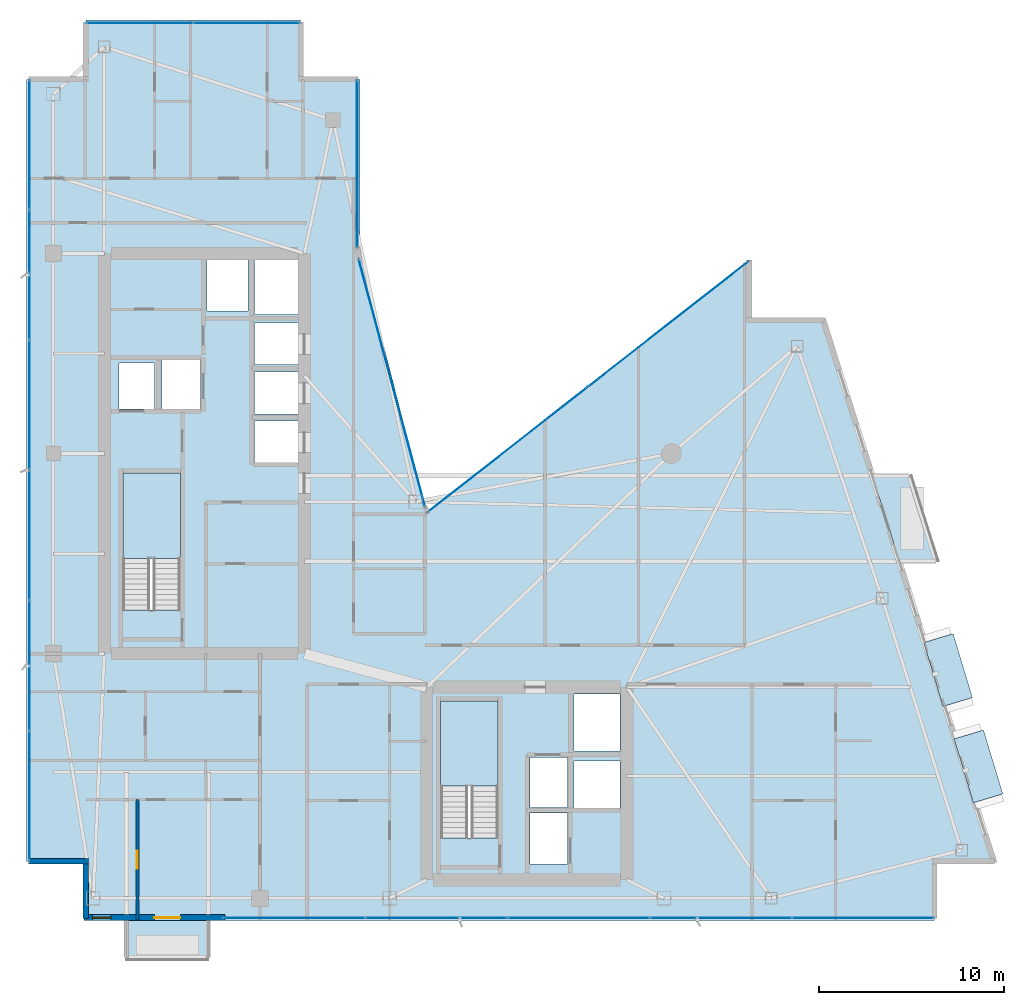
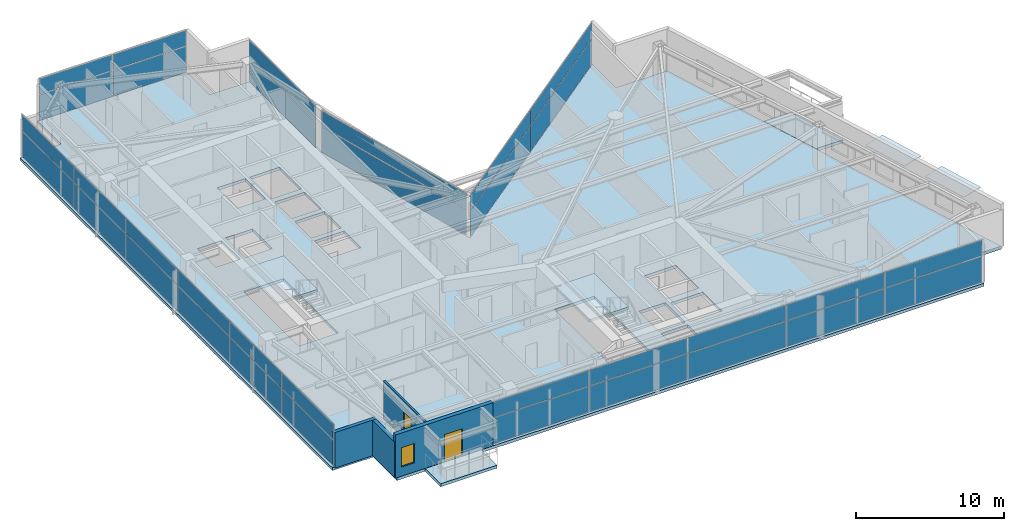
# One storey, part 23 of 30: 36 plates, 5 slabs, 4 walls, 2 doors, 1 window, 3 openings, 8 elements without a shape of their own.
"""IFC4 building model written with IfcOpenShell, lengths in metres."""

from ifc_helpers import new_model, si_unit, direction, frame, frame_2d, origin, origin_2d, place, context, subcontext, project, spatial, polyline, rectangle, outline, extrude, material, layer, layer_set, type_object, element, fill, aggregate, save


model = new_model("IFC4")

# Units and contexts
model_context = context("Model", 3, precision=1e-05, world=origin(), true_north=direction((0.0, 1.0)))
body_context = subcontext(model_context, "Body", "Model", "MODEL_VIEW")
ifc_project = project(units=[si_unit("LENGTHUNIT", "METRE"), si_unit("AREAUNIT", "SQUARE_METRE"), si_unit("VOLUMEUNIT", "CUBIC_METRE"), si_unit("PLANEANGLEUNIT", "RADIAN"), si_unit("MASSUNIT", "GRAM", prefix="KILO")], contexts=[model_context])

# Site, building, storey
site_placement = place(None, origin())
site = spatial("IfcSite", under=ifc_project, at=site_placement, CompositionType="ELEMENT")
building_placement = place(site_placement, origin())
building = spatial("IfcBuilding", under=site, at=building_placement, Name="Calvorn Quay Hotel", CompositionType="ELEMENT")
storey_placement = place(building_placement, frame((0.0, 0.0, 207.199951171875)))
storey = spatial("IfcBuildingStorey", under=building, at=storey_placement, Name="L51", CompositionType="ELEMENT", Elevation=207.199951171875)

# Curtain wall, plates
ifc_material_1 = material(Name="Champagne Bronze Anodised Aluminium and Low-E Glass", Category="aluminium")
ifc_layer_1 = layer(ifc_material_1, 0.219970703125)
ifc_layer_set_1 = layer_set([ifc_layer_1], Name="CW-SYS-Z3")
curtain_wall_type = type_object("IfcCurtainWallType", Name="CW-SYS-Z3", PredefinedType="NOTDEFINED", material=ifc_layer_set_1)
curtain_wall_1_placement = place(storey_placement, origin())
curtain_wall_1 = element("IfcCurtainWall", 1, at=curtain_wall_1_placement, inside=storey, type_object=curtain_wall_type, Name="Tower West Curtain Wall (L51)", PredefinedType="NOTDEFINED")
ifc_material_2 = material(Name="Low-E Laminated Double Glazing", Category="glass")
ifc_layer_2 = layer(ifc_material_2, 0.028076171875)
ifc_layer_set_2 = layer_set([ifc_layer_2], Name="CW-SYS-Z3-PAN")
plate_type_1 = type_object("IfcPlateType", Name="CW-SYS-Z3-PAN", PredefinedType="CURTAIN_PANEL", material=ifc_layer_set_2)
plate_1_placement = place(storey_placement, frame((0.14990234375, 9.131591796875, 0.06005859375), z_axis=(0.0, 0.0, 1.0), x_axis=(0.0, 1.0, 0.0)))
plate_1 = element("IfcPlate", 2, at=plate_1_placement, type_object=plate_type_1, Name="CW-L51-W panel 1.1", PredefinedType="CURTAIN_PANEL", context=body_context, shape_type="SweptSolid", body=[
    extrude(rectangle(XDim=6.943359375, YDim=0.028076171875, at=origin_2d()), origin(), (0.0, 0.0, 1.0), 2.110107421875),
])
plate_2_placement = place(storey_placement, frame((0.14990234375, 9.131591796875, 2.22998046875), z_axis=(0.0, 0.0, 1.0), x_axis=(0.0, 1.0, 0.0)))
plate_2 = element("IfcPlate", 3, at=plate_2_placement, type_object=plate_type_1, Name="CW-L51-W panel 1.2", PredefinedType="CURTAIN_PANEL", context=body_context, shape_type="SweptSolid", body=[
    extrude(rectangle(XDim=6.943359375, YDim=0.028076171875, at=origin_2d()), origin(), (0.0, 0.0, 1.0), 1.27001953125),
])
plate_3_placement = place(storey_placement, frame((0.14990234375, 16.14990234375, 0.06005859375), z_axis=(0.0, 0.0, 1.0), x_axis=(0.0, 1.0, 0.0)))
plate_3 = element("IfcPlate", 4, at=plate_3_placement, type_object=plate_type_1, Name="CW-L51-W panel 2.1", PredefinedType="CURTAIN_PANEL", context=body_context, shape_type="SweptSolid", body=[
    extrude(rectangle(XDim=6.973388671875, YDim=0.028076171875, at=origin_2d()), origin(), (0.0, 0.0, 1.0), 2.110107421875),
])
plate_4_placement = place(storey_placement, frame((0.14990234375, 16.14990234375, 2.22998046875), z_axis=(0.0, 0.0, 1.0), x_axis=(0.0, 1.0, 0.0)))
plate_4 = element("IfcPlate", 5, at=plate_4_placement, type_object=plate_type_1, Name="CW-L51-W panel 2.2", PredefinedType="CURTAIN_PANEL", context=body_context, shape_type="SweptSolid", body=[
    extrude(rectangle(XDim=6.973388671875, YDim=0.028076171875, at=origin_2d()), origin(), (0.0, 0.0, 1.0), 1.27001953125),
])
plate_5_placement = place(storey_placement, frame((0.14990234375, 23.183349609375, 0.06005859375), z_axis=(0.0, 0.0, 1.0), x_axis=(0.0, 1.0, 0.0)))
plate_5 = element("IfcPlate", 6, at=plate_5_placement, type_object=plate_type_1, Name="CW-L51-W panel 3.1", PredefinedType="CURTAIN_PANEL", context=body_context, shape_type="SweptSolid", body=[
    extrude(rectangle(XDim=6.973388671875, YDim=0.028076171875, at=origin_2d()), origin(), (0.0, 0.0, 1.0), 2.110107421875),
])
plate_6_placement = place(storey_placement, frame((0.14990234375, 23.183349609375, 2.22998046875), z_axis=(0.0, 0.0, 1.0), x_axis=(0.0, 1.0, 0.0)))
plate_6 = element("IfcPlate", 7, at=plate_6_placement, type_object=plate_type_1, Name="CW-L51-W panel 3.2", PredefinedType="CURTAIN_PANEL", context=body_context, shape_type="SweptSolid", body=[
    extrude(rectangle(XDim=6.973388671875, YDim=0.028076171875, at=origin_2d()), origin(), (0.0, 0.0, 1.0), 1.27001953125),
])
plate_7_placement = place(storey_placement, frame((0.14990234375, 30.216552734375, 0.06005859375), z_axis=(0.0, 0.0, 1.0), x_axis=(0.0, 1.0, 0.0)))
plate_7 = element("IfcPlate", 8, at=plate_7_placement, type_object=plate_type_1, Name="CW-L51-W panel 4.1", PredefinedType="CURTAIN_PANEL", context=body_context, shape_type="SweptSolid", body=[
    extrude(rectangle(XDim=6.973388671875, YDim=0.028076171875, at=origin_2d()), origin(), (0.0, 0.0, 1.0), 2.110107421875),
])
plate_8_placement = place(storey_placement, frame((0.14990234375, 30.216552734375, 2.22998046875), z_axis=(0.0, 0.0, 1.0), x_axis=(0.0, 1.0, 0.0)))
plate_8 = element("IfcPlate", 9, at=plate_8_placement, type_object=plate_type_1, Name="CW-L51-W panel 4.2", PredefinedType="CURTAIN_PANEL", context=body_context, shape_type="SweptSolid", body=[
    extrude(rectangle(XDim=6.973388671875, YDim=0.028076171875, at=origin_2d()), origin(), (0.0, 0.0, 1.0), 1.27001953125),
])
plate_9_placement = place(storey_placement, frame((0.14990234375, 37.25, 0.06005859375), z_axis=(0.0, 0.0, 1.0), x_axis=(0.0, 1.0, 0.0)))
plate_9 = element("IfcPlate", 10, at=plate_9_placement, type_object=plate_type_1, Name="CW-L51-W panel 5.1", PredefinedType="CURTAIN_PANEL", context=body_context, shape_type="SweptSolid", body=[
    extrude(rectangle(XDim=6.973388671875, YDim=0.028076171875, at=origin_2d()), origin(), (0.0, 0.0, 1.0), 2.110107421875),
])
plate_10_placement = place(storey_placement, frame((0.14990234375, 37.25, 2.22998046875), z_axis=(0.0, 0.0, 1.0), x_axis=(0.0, 1.0, 0.0)))
plate_10 = element("IfcPlate", 11, at=plate_10_placement, type_object=plate_type_1, Name="CW-L51-W panel 5.2", PredefinedType="CURTAIN_PANEL", context=body_context, shape_type="SweptSolid", body=[
    extrude(rectangle(XDim=6.973388671875, YDim=0.028076171875, at=origin_2d()), origin(), (0.0, 0.0, 1.0), 1.27001953125),
])
plate_11_placement = place(storey_placement, frame((0.14990234375, 44.268310546875, 0.06005859375), z_axis=(0.0, 0.0, 1.0), x_axis=(0.0, 1.0, 0.0)))
plate_11 = element("IfcPlate", 12, at=plate_11_placement, type_object=plate_type_1, Name="CW-L51-W panel 6.1", PredefinedType="CURTAIN_PANEL", context=body_context, shape_type="SweptSolid", body=[
    extrude(rectangle(XDim=6.943359375, YDim=0.028076171875, at=origin_2d()), origin(), (0.0, 0.0, 1.0), 2.110107421875),
])
plate_12_placement = place(storey_placement, frame((0.14990234375, 44.268310546875, 2.22998046875), z_axis=(0.0, 0.0, 1.0), x_axis=(0.0, 1.0, 0.0)))
plate_12 = element("IfcPlate", 13, at=plate_12_placement, type_object=plate_type_1, Name="CW-L51-W panel 6.2", PredefinedType="CURTAIN_PANEL", context=body_context, shape_type="SweptSolid", body=[
    extrude(rectangle(XDim=6.943359375, YDim=0.028076171875, at=origin_2d()), origin(), (0.0, 0.0, 1.0), 1.27001953125),
])
aggregate(curtain_wall_1, [plate_1, plate_2, plate_3, plate_4, plate_5, plate_6, plate_7, plate_8, plate_9, plate_10, plate_11, plate_12])

curtain_wall_2_placement = place(storey_placement, origin())
curtain_wall_2 = element("IfcCurtainWall", 14, at=curtain_wall_2_placement, inside=storey, type_object=curtain_wall_type, Name="Tower South Waterfront Curtain Wall (L51)", PredefinedType="NOTDEFINED")
plate_13_placement = place(storey_placement, frame((14.455078125, 2.550048828125, 0.06005859375), z_axis=(0.0, 0.0, 1.0), x_axis=(1.0, 0.0, 0.0)))
plate_13 = element("IfcPlate", 15, at=plate_13_placement, type_object=plate_type_1, Name="CW-L51-S panel 1.1", PredefinedType="CURTAIN_PANEL", context=body_context, shape_type="SweptSolid", body=[
    extrude(rectangle(XDim=7.590087890625, YDim=0.028076171875, at=origin_2d()), origin(), (0.0, 0.0, 1.0), 2.110107421875),
])
plate_14_placement = place(storey_placement, frame((14.455078125, 2.550048828125, 2.22998046875), z_axis=(0.0, 0.0, 1.0), x_axis=(1.0, 0.0, 0.0)))
plate_14 = element("IfcPlate", 16, at=plate_14_placement, type_object=plate_type_1, Name="CW-L51-S panel 1.2", PredefinedType="CURTAIN_PANEL", context=body_context, shape_type="SweptSolid", body=[
    extrude(rectangle(XDim=7.590087890625, YDim=0.028076171875, at=origin_2d()), origin(), (0.0, 0.0, 1.0), 1.27001953125),
])
plate_15_placement = place(storey_placement, frame((22.1201171875, 2.550048828125, 0.06005859375), z_axis=(0.0, 0.0, 1.0), x_axis=(1.0, 0.0, 0.0)))
plate_15 = element("IfcPlate", 17, at=plate_15_placement, type_object=plate_type_1, Name="CW-L51-S panel 2.1", PredefinedType="CURTAIN_PANEL", context=body_context, shape_type="SweptSolid", body=[
    extrude(rectangle(XDim=7.6201171875, YDim=0.028076171875, at=origin_2d()), origin(), (0.0, 0.0, 1.0), 2.110107421875),
])
plate_16_placement = place(storey_placement, frame((22.1201171875, 2.550048828125, 2.22998046875), z_axis=(0.0, 0.0, 1.0), x_axis=(1.0, 0.0, 0.0)))
plate_16 = element("IfcPlate", 18, at=plate_16_placement, type_object=plate_type_1, Name="CW-L51-S panel 2.2", PredefinedType="CURTAIN_PANEL", context=body_context, shape_type="SweptSolid", body=[
    extrude(rectangle(XDim=7.6201171875, YDim=0.028076171875, at=origin_2d()), origin(), (0.0, 0.0, 1.0), 1.27001953125),
])
plate_17_placement = place(storey_placement, frame((29.800048828125, 2.550048828125, 0.06005859375), z_axis=(0.0, 0.0, 1.0), x_axis=(1.0, 0.0, 0.0)))
plate_17 = element("IfcPlate", 19, at=plate_17_placement, type_object=plate_type_1, Name="CW-L51-S panel 3.1", PredefinedType="CURTAIN_PANEL", context=body_context, shape_type="SweptSolid", body=[
    extrude(rectangle(XDim=7.6201171875, YDim=0.028076171875, at=origin_2d()), origin(), (0.0, 0.0, 1.0), 2.110107421875),
])
plate_18_placement = place(storey_placement, frame((29.800048828125, 2.550048828125, 2.22998046875), z_axis=(0.0, 0.0, 1.0), x_axis=(1.0, 0.0, 0.0)))
plate_18 = element("IfcPlate", 20, at=plate_18_placement, type_object=plate_type_1, Name="CW-L51-S panel 3.2", PredefinedType="CURTAIN_PANEL", context=body_context, shape_type="SweptSolid", body=[
    extrude(rectangle(XDim=7.6201171875, YDim=0.028076171875, at=origin_2d()), origin(), (0.0, 0.0, 1.0), 1.27001953125),
])
plate_19_placement = place(storey_placement, frame((37.47998046875, 2.550048828125, 0.06005859375), z_axis=(0.0, 0.0, 1.0), x_axis=(1.0, 0.0, 0.0)))
plate_19 = element("IfcPlate", 21, at=plate_19_placement, type_object=plate_type_1, Name="CW-L51-S panel 4.1", PredefinedType="CURTAIN_PANEL", context=body_context, shape_type="SweptSolid", body=[
    extrude(rectangle(XDim=7.6201171875, YDim=0.028076171875, at=origin_2d()), origin(), (0.0, 0.0, 1.0), 2.110107421875),
])
plate_20_placement = place(storey_placement, frame((37.47998046875, 2.550048828125, 2.22998046875), z_axis=(0.0, 0.0, 1.0), x_axis=(1.0, 0.0, 0.0)))
plate_20 = element("IfcPlate", 22, at=plate_20_placement, type_object=plate_type_1, Name="CW-L51-S panel 4.2", PredefinedType="CURTAIN_PANEL", context=body_context, shape_type="SweptSolid", body=[
    extrude(rectangle(XDim=7.6201171875, YDim=0.028076171875, at=origin_2d()), origin(), (0.0, 0.0, 1.0), 1.27001953125),
])
plate_21_placement = place(storey_placement, frame((45.14501953125, 2.550048828125, 0.06005859375), z_axis=(0.0, 0.0, 1.0), x_axis=(1.0, 0.0, 0.0)))
plate_21 = element("IfcPlate", 23, at=plate_21_placement, type_object=plate_type_1, Name="CW-L51-S panel 5.1", PredefinedType="CURTAIN_PANEL", context=body_context, shape_type="SweptSolid", body=[
    extrude(rectangle(XDim=7.590087890625, YDim=0.028076171875, at=origin_2d()), origin(), (0.0, 0.0, 1.0), 2.110107421875),
])
plate_22_placement = place(storey_placement, frame((45.14501953125, 2.550048828125, 2.22998046875), z_axis=(0.0, 0.0, 1.0), x_axis=(1.0, 0.0, 0.0)))
plate_22 = element("IfcPlate", 24, at=plate_22_placement, type_object=plate_type_1, Name="CW-L51-S panel 5.2", PredefinedType="CURTAIN_PANEL", context=body_context, shape_type="SweptSolid", body=[
    extrude(rectangle(XDim=7.590087890625, YDim=0.028076171875, at=origin_2d()), origin(), (0.0, 0.0, 1.0), 1.27001953125),
])
aggregate(curtain_wall_2, [plate_13, plate_14, plate_15, plate_16, plate_17, plate_18, plate_19, plate_20, plate_21, plate_22])

curtain_wall_3_placement = place(storey_placement, origin())
curtain_wall_3 = element("IfcCurtainWall", 25, at=curtain_wall_3_placement, inside=storey, type_object=curtain_wall_type, Name="Inner Court Curtain Wall L51-NE1", PredefinedType="NOTDEFINED")
plate_23_placement = place(storey_placement, frame((34.63818359375, 34.5908203125, 0.06005859375), z_axis=(0.0, 0.0, 1.0), x_axis=(-0.787887056174, -0.615819768044, 0.0)))
plate_23 = element("IfcPlate", 26, at=plate_23_placement, type_object=plate_type_1, Name="CW-L51-NE1 panel 1.1", PredefinedType="CURTAIN_PANEL", context=body_context, shape_type="SweptSolid", body=[
    extrude(rectangle(XDim=10.9521484375, YDim=0.028076171875, at=origin_2d()), origin(), (0.0, 0.0, 1.0), 2.110107421875),
])
plate_24_placement = place(storey_placement, frame((34.63818359375, 34.5908203125, 2.22998046875), z_axis=(0.0, 0.0, 1.0), x_axis=(-0.787887056174, -0.615819768044, 0.0)))
plate_24 = element("IfcPlate", 27, at=plate_24_placement, type_object=plate_type_1, Name="CW-L51-NE1 panel 1.2", PredefinedType="CURTAIN_PANEL", context=body_context, shape_type="SweptSolid", body=[
    extrude(rectangle(XDim=10.9521484375, YDim=0.028076171875, at=origin_2d()), origin(), (0.0, 0.0, 1.0), 1.27001953125),
])
plate_25_placement = place(storey_placement, frame((25.9619140625, 27.809326171875, 0.06005859375), z_axis=(0.0, 0.0, 1.0), x_axis=(-0.787887056174, -0.615819768044, 0.0)))
plate_25 = element("IfcPlate", 28, at=plate_25_placement, type_object=plate_type_1, Name="CW-L51-NE1 panel 2.1", PredefinedType="CURTAIN_PANEL", context=body_context, shape_type="SweptSolid", body=[
    extrude(rectangle(XDim=10.9521484375, YDim=0.028076171875, at=origin_2d()), origin(), (0.0, 0.0, 1.0), 2.110107421875),
])
plate_26_placement = place(storey_placement, frame((25.9619140625, 27.809326171875, 2.22998046875), z_axis=(0.0, 0.0, 1.0), x_axis=(-0.787887056174, -0.615819768044, 0.0)))
plate_26 = element("IfcPlate", 29, at=plate_26_placement, type_object=plate_type_1, Name="CW-L51-NE1 panel 2.2", PredefinedType="CURTAIN_PANEL", context=body_context, shape_type="SweptSolid", body=[
    extrude(rectangle(XDim=10.9521484375, YDim=0.028076171875, at=origin_2d()), origin(), (0.0, 0.0, 1.0), 1.27001953125),
])
aggregate(curtain_wall_3, [plate_23, plate_24, plate_25, plate_26])

curtain_wall_4_placement = place(storey_placement, origin())
curtain_wall_4 = element("IfcCurtainWall", 30, at=curtain_wall_4_placement, inside=storey, type_object=curtain_wall_type, Name="Inner Court Curtain Wall L51-IC1", PredefinedType="NOTDEFINED")
plate_27_placement = place(storey_placement, frame((19.72509765625, 31.39990234375, 0.06005859375), z_axis=(0.0, 0.0, 1.0), x_axis=(-0.25877913024, 0.96593652056, 0.0)))
plate_27 = element("IfcPlate", 31, at=plate_27_placement, type_object=plate_type_1, Name="CW-L51-IC1 panel 1.1", PredefinedType="CURTAIN_PANEL", context=body_context, shape_type="SweptSolid", body=[
    extrude(rectangle(XDim=13.814697265625, YDim=0.028076171875, at=origin_2d()), origin(), (0.0, 0.0, 1.0), 2.110107421875),
])
plate_28_placement = place(storey_placement, frame((19.72509765625, 31.39990234375, 2.22998046875), z_axis=(0.0, 0.0, 1.0), x_axis=(-0.25877913024, 0.96593652056, 0.0)))
plate_28 = element("IfcPlate", 32, at=plate_28_placement, type_object=plate_type_1, Name="CW-L51-IC1 panel 1.2", PredefinedType="CURTAIN_PANEL", context=body_context, shape_type="SweptSolid", body=[
    extrude(rectangle(XDim=13.814697265625, YDim=0.028076171875, at=origin_2d()), origin(), (0.0, 0.0, 1.0), 1.27001953125),
])
aggregate(curtain_wall_4, [plate_27, plate_28])

curtain_wall_5_placement = place(storey_placement, origin())
curtain_wall_5 = element("IfcCurtainWall", 33, at=curtain_wall_5_placement, inside=storey, type_object=curtain_wall_type, Name="Inner Court Curtain Wall L51-IC2", PredefinedType="NOTDEFINED")
plate_29_placement = place(storey_placement, frame((17.85009765625, 43.239990234375, 0.06005859375), z_axis=(0.0, 0.0, 1.0), x_axis=(0.0, 1.0, 0.0)))
plate_29 = element("IfcPlate", 34, at=plate_29_placement, type_object=plate_type_1, Name="CW-L51-IC2 panel 1.1", PredefinedType="CURTAIN_PANEL", context=body_context, shape_type="SweptSolid", body=[
    extrude(rectangle(XDim=9.0, YDim=0.028076171875, at=origin_2d()), origin(), (0.0, 0.0, 1.0), 2.110107421875),
])
plate_30_placement = place(storey_placement, frame((17.85009765625, 43.239990234375, 2.22998046875), z_axis=(0.0, 0.0, 1.0), x_axis=(0.0, 1.0, 0.0)))
plate_30 = element("IfcPlate", 35, at=plate_30_placement, type_object=plate_type_1, Name="CW-L51-IC2 panel 1.2", PredefinedType="CURTAIN_PANEL", context=body_context, shape_type="SweptSolid", body=[
    extrude(rectangle(XDim=9.0, YDim=0.028076171875, at=origin_2d()), origin(), (0.0, 0.0, 1.0), 1.27001953125),
])
aggregate(curtain_wall_5, [plate_29, plate_30])

curtain_wall_6_placement = place(storey_placement, origin())
curtain_wall_6 = element("IfcCurtainWall", 36, at=curtain_wall_6_placement, inside=storey, type_object=curtain_wall_type, Name="Inner Court Curtain Wall L51-N1", PredefinedType="NOTDEFINED")
plate_31_placement = place(storey_placement, frame((11.885009765625, 50.85009765625, 0.06005859375), z_axis=(0.0, 0.0, 1.0), x_axis=(-1.0, 0.0, 0.0)))
plate_31 = element("IfcPlate", 37, at=plate_31_placement, type_object=plate_type_1, Name="CW-L51-N1 panel 1.1", PredefinedType="CURTAIN_PANEL", context=body_context, shape_type="SweptSolid", body=[
    extrude(rectangle(XDim=5.7099609375, YDim=0.028076171875, at=origin_2d()), origin(), (0.0, 0.0, 1.0), 2.110107421875),
])
plate_32_placement = place(storey_placement, frame((11.885009765625, 50.85009765625, 2.22998046875), z_axis=(0.0, 0.0, 1.0), x_axis=(-1.0, 0.0, 0.0)))
plate_32 = element("IfcPlate", 38, at=plate_32_placement, type_object=plate_type_1, Name="CW-L51-N1 panel 1.2", PredefinedType="CURTAIN_PANEL", context=body_context, shape_type="SweptSolid", body=[
    extrude(rectangle(XDim=5.7099609375, YDim=0.028076171875, at=origin_2d()), origin(), (0.0, 0.0, 1.0), 1.27001953125),
])
plate_33_placement = place(storey_placement, frame((6.114990234375, 50.85009765625, 0.06005859375), z_axis=(0.0, 0.0, 1.0), x_axis=(-1.0, 0.0, 0.0)))
plate_33 = element("IfcPlate", 39, at=plate_33_placement, type_object=plate_type_1, Name="CW-L51-N1 panel 2.1", PredefinedType="CURTAIN_PANEL", context=body_context, shape_type="SweptSolid", body=[
    extrude(rectangle(XDim=5.7099609375, YDim=0.028076171875, at=origin_2d()), origin(), (0.0, 0.0, 1.0), 2.110107421875),
])
plate_34_placement = place(storey_placement, frame((6.114990234375, 50.85009765625, 2.22998046875), z_axis=(0.0, 0.0, 1.0), x_axis=(-1.0, 0.0, 0.0)))
plate_34 = element("IfcPlate", 40, at=plate_34_placement, type_object=plate_type_1, Name="CW-L51-N1 panel 2.2", PredefinedType="CURTAIN_PANEL", context=body_context, shape_type="SweptSolid", body=[
    extrude(rectangle(XDim=5.7099609375, YDim=0.028076171875, at=origin_2d()), origin(), (0.0, 0.0, 1.0), 1.27001953125),
])
aggregate(curtain_wall_6, [plate_31, plate_32, plate_33, plate_34])

# Plates
ifc_material_3 = material(Name="Tempered Laminated Low-E Glass", Category="glass")
ifc_layer_3 = layer(ifc_material_3, 0.0380859375)
ifc_layer_set_3 = layer_set([ifc_layer_3], Name="PLT-HOOD-GLAZ")
plate_type_2 = type_object("IfcPlateType", Name="PLT-HOOD-GLAZ", PredefinedType="SHEET", material=ifc_layer_set_3)
for number, where, z_axis, x_axis, name in (
    (41, (51.3740234375, 10.718017578125, 2.467041015625), (0.0, 0.0, 1.0), (0.957319497532, 0.289031796944, 0.0), "Angled Glass Bay Hood Panel L51-HOOD-1"),
    (42, (49.735107421875, 15.91796875, 2.467041015625), (0.0, 0.0, 1.0), (0.957319497532, 0.289031796944, 0.0), "Angled Glass Bay Hood Panel L51-HOOD-2"),
):
    element("IfcPlate", number, at=place(storey_placement, frame(where, z_axis=z_axis, x_axis=x_axis)), inside=storey, type_object=plate_type_2, Name=name, PredefinedType="SHEET", context=body_context, shape_type="SweptSolid", body=[
        extrude(rectangle(XDim=1.659912109375, YDim=3.60009765625, at=origin_2d()), origin(), (0.0, 0.0, 1.0), 0.0380859375),
    ])

# Slabs
ifc_material_4 = material(Name="Concrete C40", Category="concrete")
ifc_layer_4 = layer(ifc_material_4, 0.239990234375)
ifc_layer_set_4 = layer_set([ifc_layer_4], Name="SLB-BALCONY-220")
slab_type_1 = type_object("IfcSlabType", Name="SLB-BALCONY-220", PredefinedType="FLOOR", material=ifc_layer_set_4)
slab_1_placement = place(storey_placement, frame((0.0, 0.0, -0.239990234375)))
element("IfcSlab", 43, at=slab_1_placement, inside=storey, type_object=slab_type_1, Name="Tree Balcony Slab L51-BALC-E", PredefinedType="FLOOR", context=body_context, shape_type="SweptSolid", body=[
    extrude(outline(polyline([(47.10595703125, 21.800048828125), (49.2060546875, 21.800048828125), (47.757080078125, 26.39990234375), (45.656982421875, 26.39990234375), (47.10595703125, 21.800048828125)])), origin(), (0.0, 0.0, 1.0), 0.239990234375),
])
slab_2_placement = place(storey_placement, frame((0.0, 0.0, -0.239990234375)))
element("IfcSlab", 44, at=slab_2_placement, inside=storey, type_object=slab_type_1, Name="Tree Balcony Slab L51-BALC-S", PredefinedType="FLOOR", context=body_context, shape_type="SweptSolid", body=[
    extrude(outline(polyline([(5.39990234375, 0.2900390625), (9.800048828125, 0.2900390625), (9.800048828125, 2.389892578125), (5.39990234375, 2.389892578125), (5.39990234375, 0.2900390625)])), origin(), (0.0, 0.0, 1.0), 0.239990234375),
])

# Stair, slab
ifc_material_5 = material(Name="Concrete C40", Category="concrete")
stair_type = type_object("IfcStairType", Name="STR-CORE-DOGLEG", PredefinedType="HALF_TURN_STAIR", material=ifc_material_5)
stair_1_placement = place(storey_placement, origin())
stair_1 = element("IfcStair", 45, at=stair_1_placement, inside=storey, type_object=stair_type, Name="L51 ST-W", PredefinedType="HALF_TURN_STAIR")
ifc_material_6 = material(Name="Concrete C40", Category="concrete")
ifc_layer_5 = layer(ifc_material_6, 0.199951171875)
ifc_layer_set_5 = layer_set([ifc_layer_5], Name="SLB-STAIR-LANDING-200")
slab_type_2 = type_object("IfcSlabType", Name="SLB-STAIR-LANDING-200", PredefinedType="LANDING", material=ifc_layer_set_5)
slab_3_placement = place(storey_placement, frame((0.0, 0.0, 1.699951171875)))
slab_3 = element("IfcSlab", 46, at=slab_3_placement, type_object=slab_type_2, Name="ST-W landing 1", PredefinedType="LANDING", context=body_context, shape_type="SweptSolid", body=[
    extrude(outline(polyline([(8.300048828125, 21.949951171875), (8.300048828125, 26.550048828125), (5.199951171875, 26.550048828125), (5.199951171875, 21.949951171875), (8.300048828125, 21.949951171875)])), origin(), (0.0, 0.0, 1.0), 0.2001953125),
])
aggregate(stair_1, [slab_3])

stair_2_placement = place(storey_placement, origin())
stair_2 = element("IfcStair", 47, at=stair_2_placement, inside=storey, type_object=stair_type, Name="L51 ST-E", PredefinedType="HALF_TURN_STAIR")
slab_4_placement = place(storey_placement, frame((0.0, 0.0, 1.699951171875)))
slab_4 = element("IfcSlab", 48, at=slab_4_placement, type_object=slab_type_2, Name="ST-E landing 1", PredefinedType="LANDING", context=body_context, shape_type="SweptSolid", body=[
    extrude(outline(polyline([(25.449951171875, 9.64990234375), (25.449951171875, 14.25), (22.35009765625, 14.25), (22.35009765625, 9.64990234375), (25.449951171875, 9.64990234375)])), origin(), (0.0, 0.0, 1.0), 0.2001953125),
])
aggregate(stair_2, [slab_4])

# Slab
ifc_material_7 = material(Name="Concrete C40", Category="concrete")
ifc_layer_6 = layer(ifc_material_7, 0.239990234375)
ifc_layer_set_6 = layer_set([ifc_layer_6], Name="SLB-TOWER-240")
slab_type_3 = type_object("IfcSlabType", Name="SLB-TOWER-240", PredefinedType="FLOOR", material=ifc_layer_set_6)
slab_5_placement = place(storey_placement, frame((0.0, 0.0, -0.239990234375)))
element("IfcSlab", 49, at=slab_5_placement, inside=storey, type_object=slab_type_3, Name="L51 Structural Floor Slab", PredefinedType="FLOOR", context=body_context, shape_type="SweptSolid", body=[
    extrude(outline(polyline([(0.0, 5.60009765625), (3.199951171875, 5.60009765625), (3.199951171875, 2.39990234375), (49.0, 2.39990234375), (49.0, 5.60009765625), (52.199951171875, 5.60009765625), (43.0, 34.800048828125), (39.0, 34.800048828125), (39.0, 38.0), (21.60009765625, 24.39990234375), (18.0, 38.39990234375), (18.0, 47.800048828125), (14.800048828125, 47.800048828125), (14.800048828125, 51.0), (3.199951171875, 51.0), (3.199951171875, 47.800048828125), (0.0, 47.800048828125), (0.0, 5.60009765625)]), holes=[polyline([(5.199951171875, 19.156005859375), (8.300048828125, 19.156005859375), (8.300048828125, 26.550048828125), (5.199951171875, 26.550048828125), (5.199951171875, 19.156005859375)]), polyline([(22.35009765625, 6.85595703125), (25.449951171875, 6.85595703125), (25.449951171875, 14.25), (22.35009765625, 14.25), (22.35009765625, 6.85595703125)]), polyline([(5.0, 30.0), (6.89990234375, 30.0), (6.89990234375, 32.5), (5.0, 32.5), (5.0, 30.0)]), polyline([(7.300048828125, 30.0), (9.39990234375, 30.0), (9.39990234375, 32.64990234375), (7.300048828125, 32.64990234375), (7.300048828125, 30.0)]), polyline([(27.159912109375, 8.5), (29.2099609375, 8.5), (29.2099609375, 11.199951171875), (27.159912109375, 11.199951171875), (27.159912109375, 8.5)]), polyline([(27.159912109375, 5.449951171875), (29.2099609375, 5.449951171875), (29.2099609375, 8.199951171875), (27.159912109375, 8.199951171875), (27.159912109375, 5.449951171875)]), polyline([(12.300048828125, 27.10009765625), (14.639892578125, 27.10009765625), (14.639892578125, 29.35009765625), (12.300048828125, 29.35009765625), (12.300048828125, 27.10009765625)]), polyline([(12.300048828125, 29.75), (14.639892578125, 29.75), (14.639892578125, 32.0), (12.300048828125, 32.0), (12.300048828125, 29.75)]), polyline([(12.300048828125, 32.39990234375), (14.639892578125, 32.39990234375), (14.639892578125, 34.64990234375), (12.300048828125, 34.64990234375), (12.300048828125, 32.39990234375)]), polyline([(12.300048828125, 35.10009765625), (14.639892578125, 35.10009765625), (14.639892578125, 38.0400390625), (12.300048828125, 38.0400390625), (12.300048828125, 35.10009765625)]), polyline([(9.75, 35.300048828125), (11.949951171875, 35.300048828125), (11.949951171875, 38.0400390625), (9.75, 38.0400390625), (9.75, 35.300048828125)]), polyline([(29.550048828125, 11.550048828125), (32.0400390625, 11.550048828125), (32.0400390625, 14.639892578125), (29.550048828125, 14.639892578125), (29.550048828125, 11.550048828125)]), polyline([(29.550048828125, 8.449951171875), (32.0400390625, 8.449951171875), (32.0400390625, 11.0), (29.550048828125, 11.0), (29.550048828125, 8.449951171875)])]), origin(), (0.0, 0.0, 1.0), 0.239990234375),
])

# Wall, openings, door, window
ifc_material_8 = material(Name="Concrete C40", Category="concrete")
ifc_layer_7 = layer(ifc_material_8, 0.320068359375)
ifc_layer_set_7 = layer_set([ifc_layer_7], Name="WL-EXT-SPANDREL-320")
wall_type_1 = type_object("IfcWallType", Name="WL-EXT-SPANDREL-320", PredefinedType="SOLIDWALL", material=ifc_layer_set_7)
wall_1_placement = place(storey_placement, frame((3.10009765625, 2.56005859375, 0.0), z_axis=(0.0, 0.0, 1.0), x_axis=(1.0, 0.0, 0.0)))
wall_1 = element("IfcWall", 50, at=wall_1_placement, inside=storey, type_object=wall_type_1, Name="South Balcony Exterior Wall (L51)", PredefinedType="SOLIDWALL", context=body_context, shape_type="SweptSolid", body=[
    extrude(rectangle(XDim=7.599853515625, YDim=0.320068359375, at=frame_2d((3.7998046875, 0.0))), origin(), (0.0, 0.0, 1.0), 3.56005859375),
])
opening_1_placement = place(wall_1_placement, frame((0.449951171875, 0.0, 0.75)))
opening_1 = element("IfcOpeningElement", 51, at=opening_1_placement, cuts=wall_1, Name="Opening WSB-L51-1", PredefinedType="OPENING", context=body_context, shape_type="SweptSolid", body=[
    extrude(rectangle(XDim=1.0, YDim=1.60009765625, at=frame_2d((0.5, 0.800048828125))), frame((0.0, 0.169921875, 0.0), z_axis=(0.0, -1.0, 0.0), x_axis=(1.0, 0.0, 0.0)), (0.0, 0.0, 1.0), 0.340087890625),
])
opening_2_placement = place(wall_1_placement, frame((3.800048828125, 0.0, 0.0)))
opening_2 = element("IfcOpeningElement", 52, at=opening_2_placement, cuts=wall_1, Name="Opening DB-L51-2", PredefinedType="OPENING", context=body_context, shape_type="SweptSolid", body=[
    extrude(rectangle(XDim=1.39990234375, YDim=2.25, at=frame_2d((0.699951171875, 1.125))), frame((0.0, 0.169921875, 0.0), z_axis=(0.0, -1.0, 0.0), x_axis=(1.0, 0.0, 0.0)), (0.0, 0.0, 1.0), 0.340087890625),
])
ifc_material_9 = material(Name="Typhoon-Rated Low-E Aluminium Terrace Door", Category="aluminium")
door_type_1 = type_object("IfcDoorType", Name="DR-BALCONY-GLZ-1400", OperationType="NOTDEFINED", PredefinedType="DOOR", material=ifc_material_9)
door_1_placement = place(opening_2_placement, origin())
door_1 = element("IfcDoor", 53, at=door_1_placement, inside=storey, type_object=door_type_1, Name="Tree Balcony Terrace Door L51-BALC-S", OperationType="SINGLE_SWING_LEFT", OverallHeight=2.25, OverallWidth=1.39990234375, PredefinedType="DOOR", context=body_context, shape_type="SweptSolid", body=[
    extrude(rectangle(XDim=1.39990234375, YDim=2.25, at=frame_2d((0.699951171875, 1.125))), frame((0.0, 0.02490234375, 0.0), z_axis=(0.0, -1.0, 0.0), x_axis=(1.0, 0.0, 0.0)), (0.0, 0.0, 1.0), 0.050048828125),
])
fill(opening_2, door_1)
ifc_material_10 = material(Name="Self-Closing Class B Side Fire Window")
window_type = type_object("IfcWindowType", Name="WIN-REFUGE-NARROW-1000x1600", PartitioningType="SINGLE_PANEL", PredefinedType="WINDOW", material=ifc_material_10)
window_placement = place(opening_1_placement, origin())
window = element("IfcWindow", 54, at=window_placement, inside=storey, type_object=window_type, Name="South Waterfront Side Window (L51)", OverallHeight=1.60009765625, OverallWidth=1.0, PartitioningType="SINGLE_PANEL", PredefinedType="WINDOW", context=body_context, shape_type="SweptSolid", body=[
    extrude(rectangle(XDim=1.0, YDim=1.60009765625, at=frame_2d((0.5, 0.800048828125))), frame((0.0, 0.030029296875, 0.0), z_axis=(0.0, -1.0, 0.0), x_axis=(1.0, 0.0, 0.0)), (0.0, 0.0, 1.0), 0.06005859375),
])
fill(opening_1, window)

# Walls
wall_2_placement = place(storey_placement, frame((0.1201171875, 5.60009765625, 0.0), z_axis=(0.0, 0.0, 1.0), x_axis=(1.0, 0.0, 0.0)))
element("IfcWall", 55, at=wall_2_placement, inside=storey, type_object=wall_type_1, Name="Notched Corner Spandrel L51-SW1", PredefinedType="SOLIDWALL", context=body_context, shape_type="SweptSolid", body=[
    extrude(rectangle(XDim=3.219970703125, YDim=0.280029296875, at=frame_2d((1.60986328125, 0.0))), origin(), (0.0, 0.0, 1.0), 2.93994140625),
])
wall_3_placement = place(storey_placement, frame((3.199951171875, 5.4599609375, 0.0), z_axis=(0.0, 0.0, 1.0), x_axis=(0.0, -1.0, 0.0)))
element("IfcWall", 56, at=wall_3_placement, inside=storey, type_object=wall_type_1, Name="Notched Corner Spandrel L51-SW2", PredefinedType="SOLIDWALL", context=body_context, shape_type="SweptSolid", body=[
    extrude(rectangle(XDim=2.93994140625, YDim=0.280029296875, at=frame_2d((1.469970703125, 0.0))), origin(), (0.0, 0.0, 1.0), 2.93994140625),
])

# Wall, opening, door
ifc_material_11 = material(Name="Double-Stud Acoustic Gypsum Partition")
ifc_layer_8 = layer(ifc_material_11, 0.159912109375)
ifc_layer_set_8 = layer_set([ifc_layer_8], Name="WL-INTERSUITE-160")
wall_type_2 = type_object("IfcWallType", Name="WL-INTERSUITE-160", PredefinedType="PARTITIONING", material=ifc_layer_set_8)
wall_4_placement = place(storey_placement, frame((5.97998046875, 2.43994140625, 0.0), z_axis=(0.0, 0.0, 1.0), x_axis=(0.0, 1.0, 0.0)))
wall_4 = element("IfcWall", 57, at=wall_4_placement, inside=storey, type_object=wall_type_2, Name="Partition Wall L51-WL-U01-MSP", PredefinedType="PARTITIONING", context=body_context, shape_type="SweptSolid", body=[
    extrude(rectangle(XDim=6.47998046875, YDim=0.159912109375, at=frame_2d((3.239990234375, 0.0))), origin(), (0.0, 0.0, 1.0), 3.090087890625),
])
opening_3_placement = place(wall_4_placement, frame((2.760009765625, 0.0, 0.0)))
opening_3 = element("IfcOpeningElement", 58, at=opening_3_placement, cuts=wall_4, Name="Opening D-L51-M01", PredefinedType="OPENING", context=body_context, shape_type="SweptSolid", body=[
    extrude(rectangle(XDim=0.9599609375, YDim=2.199951171875, at=frame_2d((0.47998046875, 1.10009765625))), frame((0.0, 0.08984375, 0.0), z_axis=(0.0, -1.0, 0.0), x_axis=(1.0, 0.0, 0.0)), (0.0, 0.0, 1.0), 0.179931640625),
])
ifc_material_12 = material(Name="Solid Timber Internal Suite Door", Category="wood")
door_type_2 = type_object("IfcDoorType", Name="DR-SUITE-INT-960", OperationType="NOTDEFINED", PredefinedType="DOOR", material=ifc_material_12)
door_2_placement = place(opening_3_placement, origin())
door_2 = element("IfcDoor", 59, at=door_2_placement, inside=storey, type_object=door_type_2, Name="Suite Bedroom Door 01", OperationType="SINGLE_SWING_LEFT", OverallHeight=2.199951171875, OverallWidth=0.9599609375, PredefinedType="DOOR", context=body_context, shape_type="SweptSolid", body=[
    extrude(rectangle(XDim=0.9599609375, YDim=2.199951171875, at=frame_2d((0.47998046875, 1.10009765625))), frame((0.0, 0.02490234375, 0.0), z_axis=(0.0, -1.0, 0.0), x_axis=(1.0, 0.0, 0.0)), (0.0, 0.0, 1.0), 0.050048828125),
])
fill(opening_3, door_2)

save(model, "model.ifc")
